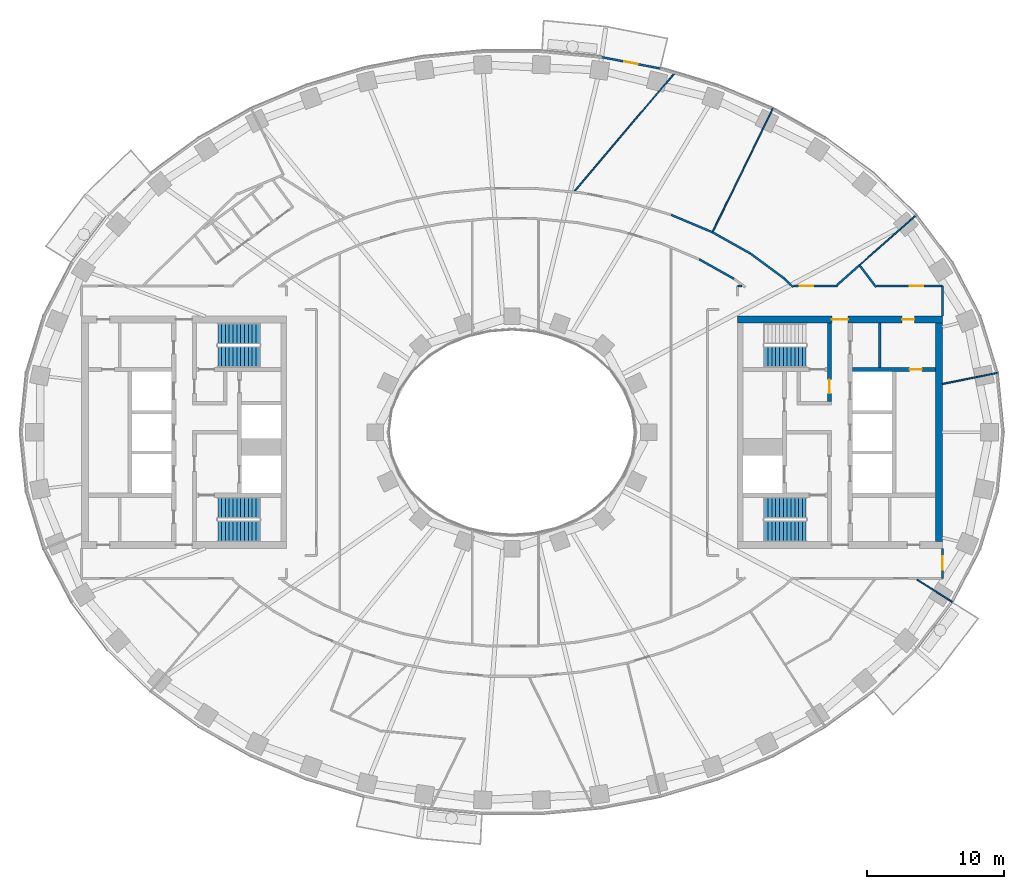
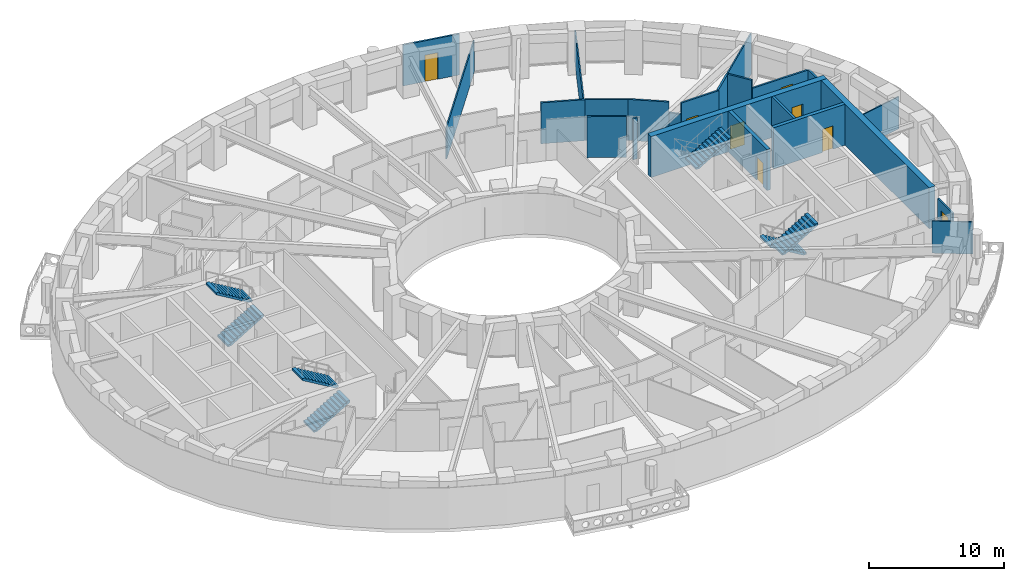
# One storey, part 7 of 17: 23 walls, 8 doors, 7 stair flights, 8 openings, 4 elements without a shape of their own.
"""IFC4 building model written with IfcOpenShell, lengths in metres."""

from ifc_helpers import new_model, si_unit, direction, frame, frame_2d, origin, place, context, subcontext, project, spatial, polyline, rectangle, outline, extrude, material, layer, layer_set, type_object, element, fill, aggregate, save


model = new_model("IFC4")

# Units and contexts
model_context = context("Model", 3, precision=1e-05, world=origin(), true_north=direction((0.0, 1.0)))
body_context = subcontext(model_context, "Body", "Model", "MODEL_VIEW")
ifc_project = project(units=[si_unit("LENGTHUNIT", "METRE"), si_unit("AREAUNIT", "SQUARE_METRE"), si_unit("VOLUMEUNIT", "CUBIC_METRE"), si_unit("PLANEANGLEUNIT", "RADIAN"), si_unit("MASSUNIT", "GRAM", prefix="KILO")], contexts=[model_context])

# Site, building, storey
site_placement = place(None, origin())
site = spatial("IfcSite", under=ifc_project, at=site_placement, CompositionType="ELEMENT")
building_placement = place(site_placement, origin())
building = spatial("IfcBuilding", under=site, at=building_placement, Name="Noorbagh Ring Tower", CompositionType="ELEMENT")
storey_placement = place(building_placement, frame((0.0, 0.0, 112.0)))
storey = spatial("IfcBuildingStorey", under=building, at=storey_placement, Name="L25", CompositionType="ELEMENT", Elevation=112.0)

# Wall
ifc_material_1 = material(Name="Gypsum board on steel studs", Category="steel")
ifc_layer_1 = layer(ifc_material_1, 0.199951171875)
ifc_layer_set_1 = layer_set([ifc_layer_1], Name="Gypsum board on steel studs")
wall_type_1 = type_object("IfcWallType", Name="CORE-PARTITION-200", PredefinedType="PARTITIONING", material=ifc_layer_set_1)
wall_1_placement = place(storey_placement, frame((26.89990234375, 4.75, 0.0), z_axis=(0.0, 0.0, 1.0), x_axis=(0.0, 1.0, 0.0)))
element("IfcWall", 1, at=wall_1_placement, inside=storey, type_object=wall_type_1, Name="Core partition E", PredefinedType="PARTITIONING", context=body_context, shape_type="SweptSolid", body=[
    extrude(rectangle(XDim=3.25, YDim=0.199951171875, at=frame_2d((1.625, 0.0))), origin(), (0.0, 0.0, 1.0), 3.699951171875),
])

# Wall, opening, door
ifc_material_2 = material(Name="Concrete C70/85", Category="concrete")
ifc_layer_2 = layer(ifc_material_2, 0.300048828125)
ifc_layer_set_2 = layer_set([ifc_layer_2], Name="Concrete C70/85")
wall_type_2 = type_object("IfcWallType", Name="CORE-WALL-300-C70-85-EI240", PredefinedType="SHEAR", material=ifc_layer_set_2)
wall_2_placement = place(storey_placement, frame((24.89990234375, 4.60009765625, 0.0), z_axis=(0.0, 0.0, 1.0), x_axis=(1.0, 0.0, 0.0)))
wall_2 = element("IfcWall", 2, at=wall_2_placement, inside=storey, type_object=wall_type_2, Name="Core wall E", PredefinedType="SHEAR", context=body_context, shape_type="SweptSolid", body=[
    extrude(rectangle(XDim=6.10009765625, YDim=0.300048828125, at=frame_2d((3.050048828125, 0.0))), origin(), (0.0, 0.0, 1.0), 3.699951171875),
])
opening_1_placement = place(wall_2_placement, frame((4.199951171875, 0.0, 0.0)))
opening_1 = element("IfcOpeningElement", 3, at=opening_1_placement, cuts=wall_2, Name="Opening L25-CE16", PredefinedType="OPENING", context=body_context, shape_type="SweptSolid", body=[
    extrude(rectangle(XDim=0.89990234375, YDim=2.10009765625, at=frame_2d((0.449951171875, 1.050048828125))), frame((0.0, 0.16015625, 0.0), z_axis=(0.0, -1.0, 0.0), x_axis=(1.0, 0.0, 0.0)), (0.0, 0.0, 1.0), 0.320068359375),
])
ifc_material_3 = material(Name="Steel door leaf", Category="steel")
door_type_1 = type_object("IfcDoorType", Name="CORE-DOOR-DROOM", OperationType="SINGLE_SWING_LEFT", PredefinedType="DOOR", material=ifc_material_3)
door_1_placement = place(opening_1_placement, origin())
door_1 = element("IfcDoor", 4, at=door_1_placement, inside=storey, type_object=door_type_1, Name="Core room door L25-CE16", OperationType="SINGLE_SWING_RIGHT", OverallHeight=2.10009765625, OverallWidth=0.89990234375, PredefinedType="DOOR", context=body_context, shape_type="SweptSolid", body=[
    extrude(rectangle(XDim=0.89990234375, YDim=2.10009765625, at=frame_2d((0.449951171875, 1.050048828125))), frame((0.0, 0.02490234375, 0.0), z_axis=(0.0, -1.0, 0.0), x_axis=(1.0, 0.0, 0.0)), (0.0, 0.0, 1.0), 0.050048828125),
])
fill(opening_1, door_1)

wall_3_placement = place(storey_placement, frame((23.22998046875, 2.25, 0.0), z_axis=(0.0, 0.0, 1.0), x_axis=(0.0, 1.0, 0.0)))
wall_3 = element("IfcWall", 5, at=wall_3_placement, inside=storey, type_object=wall_type_2, Name="Core wall E", PredefinedType="SHEAR", context=body_context, shape_type="SweptSolid", body=[
    extrude(rectangle(XDim=5.75, YDim=0.300048828125, at=frame_2d((2.875, 0.0))), origin(), (0.0, 0.0, 1.0), 3.699951171875),
])
opening_2_placement = place(wall_3_placement, frame((0.60009765625, 0.0, 0.0)))
opening_2 = element("IfcOpeningElement", 6, at=opening_2_placement, cuts=wall_3, Name="Opening L25-CE08", PredefinedType="OPENING", context=body_context, shape_type="SweptSolid", body=[
    extrude(rectangle(XDim=1.0, YDim=2.10009765625, at=frame_2d((0.5, 1.050048828125))), frame((0.0, 0.16015625, 0.0), z_axis=(0.0, -1.0, 0.0), x_axis=(1.0, 0.0, 0.0)), (0.0, 0.0, 1.0), 0.320068359375),
])
ifc_material_4 = material(Name="Steel door leaf", Category="steel")
door_type_2 = type_object("IfcDoorType", Name="CORE-DOOR-DVEST", OperationType="SINGLE_SWING_LEFT", PredefinedType="DOOR", material=ifc_material_4)
door_2_placement = place(opening_2_placement, origin())
door_2 = element("IfcDoor", 7, at=door_2_placement, inside=storey, type_object=door_type_2, Name="Stair vestibule door L25-CE08", OperationType="SINGLE_SWING_RIGHT", OverallHeight=2.10009765625, OverallWidth=1.0, PredefinedType="DOOR", context=body_context, shape_type="SweptSolid", body=[
    extrude(rectangle(XDim=1.0, YDim=2.10009765625, at=frame_2d((0.5, 1.050048828125))), frame((0.0, 0.02490234375, 0.0), z_axis=(0.0, -1.0, 0.0), x_axis=(1.0, 0.0, 0.0)), (0.0, 0.0, 1.0), 0.050048828125),
])
fill(opening_2, door_2)

# Wall, openings, doors
ifc_material_5 = material(Name="Concrete C70/85", Category="concrete")
ifc_layer_3 = layer(ifc_material_5, 0.5)
ifc_layer_set_3 = layer_set([ifc_layer_3], Name="Concrete C70/85")
wall_type_3 = type_object("IfcWallType", Name="CORE-WALL-500-C70-85-EI240", PredefinedType="SHEAR", material=ifc_layer_set_3)
wall_4_placement = place(storey_placement, frame((16.5, 8.25, 0.0), z_axis=(0.0, 0.0, 1.0), x_axis=(1.0, 0.0, 0.0)))
wall_4 = element("IfcWall", 8, at=wall_4_placement, inside=storey, type_object=wall_type_3, Name="Core wall E", PredefinedType="SHEAR", context=body_context, shape_type="SweptSolid", body=[
    extrude(rectangle(XDim=15.0, YDim=0.5, at=frame_2d((7.5, 0.0))), origin(), (0.0, 0.0, 1.0), 3.699951171875),
])
opening_3_placement = place(wall_4_placement, frame((6.89990234375, 0.0, 0.0)))
opening_3 = element("IfcOpeningElement", 9, at=opening_3_placement, cuts=wall_4, Name="Opening L25-CE09", PredefinedType="OPENING", context=body_context, shape_type="SweptSolid", body=[
    extrude(rectangle(XDim=1.199951171875, YDim=2.10009765625, at=frame_2d((0.60009765625, 1.050048828125))), frame((0.0, 0.260009765625, 0.0), z_axis=(0.0, -1.0, 0.0), x_axis=(1.0, 0.0, 0.0)), (0.0, 0.0, 1.0), 0.52001953125),
])
opening_4_placement = place(wall_4_placement, frame((12.050048828125, 0.0, 0.0)))
opening_4 = element("IfcOpeningElement", 10, at=opening_4_placement, cuts=wall_4, Name="Opening L25-CE13", PredefinedType="OPENING", context=body_context, shape_type="SweptSolid", body=[
    extrude(rectangle(XDim=0.89990234375, YDim=2.10009765625, at=frame_2d((0.449951171875, 1.050048828125))), frame((0.0, 0.260009765625, 0.0), z_axis=(0.0, -1.0, 0.0), x_axis=(1.0, 0.0, 0.0)), (0.0, 0.0, 1.0), 0.52001953125),
])
door_3_placement = place(opening_4_placement, origin())
door_3 = element("IfcDoor", 11, at=door_3_placement, inside=storey, type_object=door_type_1, Name="Core room door L25-CE13", OperationType="SINGLE_SWING_LEFT", OverallHeight=2.10009765625, OverallWidth=0.89990234375, PredefinedType="DOOR", context=body_context, shape_type="SweptSolid", body=[
    extrude(rectangle(XDim=0.89990234375, YDim=2.10009765625, at=frame_2d((0.449951171875, 1.050048828125))), frame((0.0, 0.02490234375, 0.0), z_axis=(0.0, -1.0, 0.0), x_axis=(1.0, 0.0, 0.0)), (0.0, 0.0, 1.0), 0.050048828125),
])
fill(opening_4, door_3)
ifc_material_6 = material(Name="Steel door leaf", Category="steel")
door_type_3 = type_object("IfcDoorType", Name="CORE-DOOR-PORT", OperationType="DOUBLE_DOOR_DOUBLE_SWING", PredefinedType="DOOR", material=ifc_material_6)
door_4_placement = place(opening_3_placement, origin())
door_4 = element("IfcDoor", 12, at=door_4_placement, inside=storey, type_object=door_type_3, Name="Core entrance door L25-CE09", OperationType="DOUBLE_DOOR_DOUBLE_SWING", OverallHeight=2.10009765625, OverallWidth=1.199951171875, PredefinedType="DOOR", context=body_context, shape_type="SweptSolid", body=[
    extrude(rectangle(XDim=1.199951171875, YDim=2.10009765625, at=frame_2d((0.60009765625, 1.050048828125))), frame((0.0, 0.02490234375, 0.0), z_axis=(0.0, -1.0, 0.0), x_axis=(1.0, 0.0, 0.0)), (0.0, 0.0, 1.0), 0.050048828125),
])
fill(opening_3, door_4)

# Walls
wall_5_placement = place(storey_placement, frame((31.25, -8.0, 0.0), z_axis=(0.0, 0.0, 1.0), x_axis=(0.0, 1.0, 0.0)))
element("IfcWall", 13, at=wall_5_placement, inside=storey, type_object=wall_type_3, Name="Core wall E", PredefinedType="SHEAR", context=body_context, shape_type="SweptSolid", body=[
    extrude(rectangle(XDim=16.0, YDim=0.5, at=frame_2d((8.0, 0.0))), origin(), (0.0, 0.0, 1.0), 3.699951171875),
])
ifc_material_7 = material(Name="Gypsum board on steel studs", Category="steel")
ifc_layer_4 = layer(ifc_material_7, 0.14990234375)
ifc_layer_set_4 = layer_set([ifc_layer_4], Name="Gypsum board on steel studs")
wall_type_4 = type_object("IfcWallType", Name="CORRIDOR PARTITION 150 EI 30", PredefinedType="PARTITIONING", material=ifc_layer_set_4)
wall_6_placement = place(storey_placement, frame((11.64306640625, 15.9130859375, 0.0), z_axis=(0.0, 0.0, 1.0), x_axis=(0.921789499058, -0.38769075231, 0.0)))
element("IfcWall", 14, at=wall_6_placement, inside=storey, type_object=wall_type_4, Name="L25/wall/P86", PredefinedType="PARTITIONING", context=body_context, shape_type="SweptSolid", body=[
    extrude(rectangle(XDim=3.2783203125, YDim=0.14990234375, at=frame_2d((1.63916015625, 0.0))), origin(), (0.0, 0.0, 1.0), 3.699951171875),
])
wall_7_placement = place(storey_placement, frame((13.697021484375, 12.662109375, 0.0), z_axis=(0.0, 0.0, 1.0), x_axis=(0.872147381065, -0.489243237767, 0.0)))
element("IfcWall", 15, at=wall_7_placement, inside=storey, type_object=wall_type_4, Name="L25/wall/P88", PredefinedType="PARTITIONING", context=body_context, shape_type="SweptSolid", body=[
    extrude(rectangle(XDim=2.92724609375, YDim=0.14990234375, at=frame_2d((1.463623046875, 0.0))), origin(), (0.0, 0.0, 1.0), 3.699951171875),
])
wall_8_placement = place(storey_placement, frame((14.681884765625, 14.632080078125, 0.0), z_axis=(0.0, 0.0, 1.0), x_axis=(0.872147050911, -0.489243826315, 0.0)))
element("IfcWall", 16, at=wall_8_placement, inside=storey, type_object=wall_type_4, Name="L25/wall/P94", PredefinedType="PARTITIONING", context=body_context, shape_type="SweptSolid", body=[
    extrude(rectangle(XDim=3.168212890625, YDim=0.14990234375, at=frame_2d((1.583984375, 0.0))), origin(), (0.0, 0.0, 1.0), 3.699951171875),
])
wall_9_placement = place(storey_placement, frame((16.5, 10.699951171875, 0.0), z_axis=(0.0, 0.0, 1.0), x_axis=(1.0, 0.0, 0.0)))
element("IfcWall", 17, at=wall_9_placement, inside=storey, type_object=wall_type_4, Name="L25/wall/P100", PredefinedType="PARTITIONING", context=body_context, shape_type="SweptSolid", body=[
    extrude(rectangle(XDim=0.343017578125, YDim=0.14990234375, at=frame_2d((0.17138671875, 0.0))), origin(), (0.0, 0.0, 1.0), 3.699951171875),
])
wall_10_placement = place(storey_placement, frame((17.445068359375, 13.08203125, 0.0), z_axis=(0.0, 0.0, 1.0), x_axis=(0.805185638843, -0.593022838516, 0.0)))
element("IfcWall", 18, at=wall_10_placement, inside=storey, type_object=wall_type_4, Name="L25/wall/P101", PredefinedType="PARTITIONING", context=body_context, shape_type="SweptSolid", body=[
    extrude(rectangle(XDim=3.072509765625, YDim=0.14990234375, at=frame_2d((1.5361328125, 0.0))), origin(), (0.0, 0.0, 1.0), 3.699951171875),
])
wall_11_placement = place(storey_placement, frame((19.9189453125, 11.260009765625, 0.0), z_axis=(0.0, 0.0, 1.0), x_axis=(0.716953986293, -0.697120492841, 0.0)))
element("IfcWall", 19, at=wall_11_placement, inside=storey, type_object=wall_type_4, Name="L25/wall/P105", PredefinedType="PARTITIONING", context=body_context, shape_type="SweptSolid", body=[
    extrude(rectangle(XDim=0.910888671875, YDim=0.14990234375, at=frame_2d((0.45556640625, 0.0))), origin(), (0.0, 0.0, 1.0), 2.75),
])

# Wall, opening, door
wall_12_placement = place(storey_placement, frame((20.60302734375, 10.699951171875, 0.0), z_axis=(0.0, 0.0, 1.0), x_axis=(1.0, 0.0, 0.0)))
wall_12 = element("IfcWall", 20, at=wall_12_placement, inside=storey, type_object=wall_type_4, Name="L25/wall/P108", PredefinedType="PARTITIONING", context=body_context, shape_type="SweptSolid", body=[
    extrude(rectangle(XDim=3.20703125, YDim=0.14990234375, at=frame_2d((1.603515625, 0.0))), origin(), (0.0, 0.0, 1.0), 3.699951171875),
])
opening_5_placement = place(wall_12_placement, frame((0.444091796875, 0.0, 0.0)))
opening_5 = element("IfcOpeningElement", 21, at=opening_5_placement, cuts=wall_12, Name="Opening D1", PredefinedType="OPENING", context=body_context, shape_type="SweptSolid", body=[
    extrude(rectangle(XDim=1.0, YDim=2.10009765625, at=frame_2d((0.5, 1.050048828125))), frame((0.0, 0.0849609375, 0.0), z_axis=(0.0, -1.0, 0.0), x_axis=(1.0, 0.0, 0.0)), (0.0, 0.0, 1.0), 0.169921875),
])
ifc_material_8 = material(Name="Timber, painted", Category="wood")
door_type_4 = type_object("IfcDoorType", Name="DOOR 1000 X 2100 FD30", OperationType="SINGLE_SWING_LEFT", PredefinedType="DOOR", material=ifc_material_8)
door_5_placement = place(opening_5_placement, origin())
door_5 = element("IfcDoor", 22, at=door_5_placement, inside=storey, type_object=door_type_4, Name="L25-D16", OperationType="SINGLE_SWING_RIGHT", OverallHeight=2.10009765625, OverallWidth=1.0, PredefinedType="DOOR", context=body_context, shape_type="SweptSolid", body=[
    extrude(rectangle(XDim=1.0, YDim=2.10009765625, at=frame_2d((0.5, 1.050048828125))), frame((0.0, 0.02490234375, 0.0), z_axis=(0.0, -1.0, 0.0), x_axis=(1.0, 0.0, 0.0)), (0.0, 0.0, 1.0), 0.050048828125),
])
fill(opening_5, door_5)

# Walls
wall_13_placement = place(storey_placement, frame((23.784912109375, 10.778076171875, 0.0), z_axis=(0.0, 0.0, 1.0), x_axis=(0.748911595987, 0.662669918886, 0.0)))
element("IfcWall", 23, at=wall_13_placement, inside=storey, type_object=wall_type_4, Name="L25/wall/P110", PredefinedType="PARTITIONING", context=body_context, shape_type="SweptSolid", body=[
    extrude(rectangle(XDim=2.19384765625, YDim=0.14990234375, at=frame_2d((1.096923828125, 0.0))), origin(), (0.0, 0.0, 1.0), 3.699951171875),
])
wall_14_placement = place(storey_placement, frame((25.427978515625, 12.23193359375, 0.0), z_axis=(0.0, 0.0, 1.0), x_axis=(0.601513631979, -0.798862535449, 0.0)))
element("IfcWall", 24, at=wall_14_placement, inside=storey, type_object=wall_type_4, Name="L25/wall/P111", PredefinedType="PARTITIONING", context=body_context, shape_type="SweptSolid", body=[
    extrude(rectangle(XDim=2.011474609375, YDim=0.14990234375, at=frame_2d((1.005859375, 0.0))), origin(), (0.0, 0.0, 1.0), 3.699951171875),
])

# Wall, opening, door
wall_15_placement = place(storey_placement, frame((26.676025390625, 10.699951171875, 0.0), z_axis=(0.0, 0.0, 1.0), x_axis=(1.0, 0.0, 0.0)))
wall_15 = element("IfcWall", 25, at=wall_15_placement, inside=storey, type_object=wall_type_4, Name="L25/wall/P113", PredefinedType="PARTITIONING", context=body_context, shape_type="SweptSolid", body=[
    extrude(rectangle(XDim=4.823974609375, YDim=0.14990234375, at=frame_2d((2.412109375, 0.0))), origin(), (0.0, 0.0, 1.0), 2.89990234375),
])
opening_6_placement = place(wall_15_placement, frame((2.424072265625, 0.0, 0.0)))
opening_6 = element("IfcOpeningElement", 26, at=opening_6_placement, cuts=wall_15, Name="Opening D1", PredefinedType="OPENING", context=body_context, shape_type="SweptSolid", body=[
    extrude(rectangle(XDim=1.0, YDim=2.10009765625, at=frame_2d((0.5, 1.050048828125))), frame((0.0, 0.0849609375, 0.0), z_axis=(0.0, -1.0, 0.0), x_axis=(1.0, 0.0, 0.0)), (0.0, 0.0, 1.0), 0.169921875),
])
door_6_placement = place(opening_6_placement, origin())
door_6 = element("IfcDoor", 27, at=door_6_placement, inside=storey, type_object=door_type_4, Name="L25-D19", OperationType="SINGLE_SWING_LEFT", OverallHeight=2.10009765625, OverallWidth=1.0, PredefinedType="DOOR", context=body_context, shape_type="SweptSolid", body=[
    extrude(rectangle(XDim=1.0, YDim=2.10009765625, at=frame_2d((0.5, 1.050048828125))), frame((0.0, 0.02490234375, 0.0), z_axis=(0.0, -1.0, 0.0), x_axis=(1.0, 0.0, 0.0)), (0.0, 0.0, 1.0), 0.050048828125),
])
fill(opening_6, door_6)

wall_16_placement = place(storey_placement, frame((31.5, -10.699951171875, 0.0), z_axis=(0.0, 0.0, 1.0), x_axis=(0.0, 1.0, 0.0)))
wall_16 = element("IfcWall", 28, at=wall_16_placement, inside=storey, type_object=wall_type_4, Name="L25/wall/P115", PredefinedType="PARTITIONING", context=body_context, shape_type="SweptSolid", body=[
    extrude(rectangle(XDim=2.199951171875, YDim=0.14990234375, at=frame_2d((1.10009765625, 0.0))), origin(), (0.0, 0.0, 1.0), 2.89990234375),
])
opening_7_placement = place(wall_16_placement, frame((0.64990234375, 0.0, 0.0)))
opening_7 = element("IfcOpeningElement", 29, at=opening_7_placement, cuts=wall_16, Name="Opening D1", PredefinedType="OPENING", context=body_context, shape_type="SweptSolid", body=[
    extrude(rectangle(XDim=1.0, YDim=2.10009765625, at=frame_2d((0.5, 1.050048828125))), frame((0.0, 0.0849609375, 0.0), z_axis=(0.0, -1.0, 0.0), x_axis=(1.0, 0.0, 0.0)), (0.0, 0.0, 1.0), 0.169921875),
])
door_7_placement = place(opening_7_placement, origin())
door_7 = element("IfcDoor", 30, at=door_7_placement, inside=storey, type_object=door_type_4, Name="L25-D20", OperationType="SINGLE_SWING_RIGHT", OverallHeight=2.10009765625, OverallWidth=1.0, PredefinedType="DOOR", context=body_context, shape_type="SweptSolid", body=[
    extrude(rectangle(XDim=1.0, YDim=2.10009765625, at=frame_2d((0.5, 1.050048828125))), frame((0.0, 0.02490234375, 0.0), z_axis=(0.0, -1.0, 0.0), x_axis=(1.0, 0.0, 0.0)), (0.0, 0.0, 1.0), 0.050048828125),
])
fill(opening_7, door_7)

# Wall
wall_17_placement = place(storey_placement, frame((31.5, 8.5, 0.0), z_axis=(0.0, 0.0, 1.0), x_axis=(0.0, 1.0, 0.0)))
element("IfcWall", 31, at=wall_17_placement, inside=storey, type_object=wall_type_4, Name="L25/wall/P117", PredefinedType="PARTITIONING", context=body_context, shape_type="SweptSolid", body=[
    extrude(rectangle(XDim=2.199951171875, YDim=0.14990234375, at=frame_2d((1.10009765625, 0.0))), origin(), (0.0, 0.0, 1.0), 2.89990234375),
])

# Wall, opening, door
ifc_material_9 = material(Name="Insulated aluminium clad panel", Category="aluminium")
ifc_layer_5 = layer(ifc_material_9, 0.14990234375)
ifc_layer_set_5 = layer_set([ifc_layer_5], Name="Insulated aluminium clad panel")
wall_type_5 = type_object("IfcWallType", Name="ENV-WALL-DOOR", PredefinedType="STANDARD", material=ifc_layer_set_5)
wall_18_placement = place(storey_placement, frame((10.87060546875, 26.616943359375, 0.0), z_axis=(0.0, 0.0, 1.0), x_axis=(-0.981631174778, 0.190788460615, 0.0)))
wall_18 = element("IfcWall", 32, at=wall_18_placement, inside=storey, type_object=wall_type_5, Name="Balcony door wall chord 10", PredefinedType="STANDARD", context=body_context, shape_type="SweptSolid", body=[
    extrude(rectangle(XDim=4.42626953125, YDim=0.14990234375, at=frame_2d((2.213134765625, 0.0))), origin(), (0.0, 0.0, 1.0), 3.699951171875),
])
opening_8_placement = place(wall_18_placement, frame((1.713134765625, 0.0, 0.0)))
opening_8 = element("IfcOpeningElement", 33, at=opening_8_placement, cuts=wall_18, Name="Opening D-BL", PredefinedType="OPENING", context=body_context, shape_type="SweptSolid", body=[
    extrude(rectangle(XDim=1.0, YDim=2.39990234375, at=frame_2d((0.5, 1.199951171875))), frame((0.0, 0.0849609375, 0.0), z_axis=(0.0, -1.0, 0.0), x_axis=(1.0, 0.0, 0.0)), (0.0, 0.0, 1.0), 0.169921875),
])
ifc_material_10 = material(Name="Aluminium and glass", Category="aluminium")
door_type_5 = type_object("IfcDoorType", Name="ENV-DOOR-BALCONY", OperationType="SINGLE_SWING_LEFT", PredefinedType="DOOR", material=ifc_material_10)
door_8_placement = place(opening_8_placement, origin())
door_8 = element("IfcDoor", 34, at=door_8_placement, inside=storey, type_object=door_type_5, Name="Balcony door chord 10", OperationType="SINGLE_SWING_RIGHT", OverallHeight=2.39990234375, OverallWidth=1.0, PredefinedType="DOOR", context=body_context, shape_type="SweptSolid", body=[
    extrude(rectangle(XDim=1.0, YDim=2.39990234375, at=frame_2d((0.5, 1.199951171875))), frame((0.0, 0.02490234375, 0.0), z_axis=(0.0, -1.0, 0.0), x_axis=(1.0, 0.0, 0.0)), (0.0, 0.0, 1.0), 0.050048828125),
])
fill(opening_8, door_8)

# Walls
ifc_material_11 = material(Name="Gypsum board on steel studs", Category="steel")
ifc_layer_6 = layer(ifc_material_11, 0.10009765625)
ifc_layer_set_6 = layer_set([ifc_layer_6], Name="Gypsum board on steel studs")
wall_type_6 = type_object("IfcWallType", Name="PARTITION 100 GYPSUM", PredefinedType="PARTITIONING", material=ifc_layer_set_6)
wall_19_placement = place(storey_placement, frame((4.575927734375, 17.65087890625, 0.0), z_axis=(0.0, 0.0, 1.0), x_axis=(0.646514915662, 0.762901346064, 0.0)))
element("IfcWall", 35, at=wall_19_placement, inside=storey, type_object=wall_type_6, Name="L25/wall/P72", PredefinedType="PARTITIONING", context=body_context, shape_type="SweptSolid", body=[
    extrude(rectangle(XDim=11.3671875, YDim=0.10009765625, at=frame_2d((5.68359375, 0.0))), origin(), (0.0, 0.0, 1.0), 2.89990234375),
])
wall_20_placement = place(storey_placement, frame((14.6669921875, 14.64599609375, 0.0), z_axis=(0.0, 0.0, 1.0), x_axis=(0.439197946233, 0.898390318305, 0.0)))
element("IfcWall", 36, at=wall_20_placement, inside=storey, type_object=wall_type_6, Name="L25/wall/P93", PredefinedType="PARTITIONING", context=body_context, shape_type="SweptSolid", body=[
    extrude(rectangle(XDim=10.061279296875, YDim=0.10009765625, at=frame_2d((5.03076171875, 0.0))), origin(), (0.0, 0.0, 1.0), 2.89990234375),
])
wall_21_placement = place(storey_placement, frame((25.427978515625, 12.23193359375, 0.0), z_axis=(0.0, 0.0, 1.0), x_axis=(0.749015105068, 0.662552920437, 0.0)))
element("IfcWall", 37, at=wall_21_placement, inside=storey, type_object=wall_type_6, Name="L25/wall/P112", PredefinedType="PARTITIONING", context=body_context, shape_type="SweptSolid", body=[
    extrude(rectangle(XDim=5.52880859375, YDim=0.10009765625, at=frame_2d((2.764404296875, 0.0))), origin(), (0.0, 0.0, 1.0), 3.699951171875),
])
wall_22_placement = place(storey_placement, frame((29.636962890625, -10.777099609375, 0.0), z_axis=(0.0, 0.0, 1.0), x_axis=(0.844810627195, -0.535065420467, 0.0)))
element("IfcWall", 38, at=wall_22_placement, inside=storey, type_object=wall_type_6, Name="L25/wall/P114", PredefinedType="PARTITIONING", context=body_context, shape_type="SweptSolid", body=[
    extrude(rectangle(XDim=3.0478515625, YDim=0.10009765625, at=frame_2d((1.52392578125, 0.0))), origin(), (0.0, 0.0, 1.0), 2.89990234375),
])
wall_23_placement = place(storey_placement, frame((31.5, 3.5419921875, 0.0), z_axis=(0.0, 0.0, 1.0), x_axis=(0.980357474535, 0.197228857227, 0.0)))
element("IfcWall", 39, at=wall_23_placement, inside=storey, type_object=wall_type_6, Name="L25/wall/P116", PredefinedType="PARTITIONING", context=body_context, shape_type="SweptSolid", body=[
    extrude(rectangle(XDim=4.09228515625, YDim=0.10009765625, at=frame_2d((2.046142578125, 0.0))), origin(), (0.0, 0.0, 1.0), 2.89990234375),
])

# Stair, stair flights
ifc_material_12 = material(Name="Concrete C40/50", Category="concrete")
stair_type = type_object("IfcStairType", Name="CORE-STAIR", PredefinedType="HALF_TURN_STAIR", material=ifc_material_12)
stair_1_placement = place(storey_placement, origin())
stair_1 = element("IfcStair", 40, at=stair_1_placement, inside=storey, type_object=stair_type, Name="L25 Exit stair ST1", PredefinedType="HALF_TURN_STAIR")
ifc_material_13 = material(Name="Concrete C40/50", Category="concrete")
stair_flight_type = type_object("IfcStairFlightType", Name="CORE-STAIR-FLIGHT", PredefinedType="STRAIGHT", material=ifc_material_13)
stair_flight_1_placement = place(storey_placement, frame((-21.530029296875, 5.52490234375, 0.0), z_axis=(0.0, 0.0, 1.0), x_axis=(1.0, 0.0, 0.0)))
stair_flight_1 = element("IfcStairFlight", 41, at=stair_flight_1_placement, type_object=stair_flight_type, Name="ST1 flight 1", NumberOfRisers=12, NumberOfTreads=11, PredefinedType="STRAIGHT", RiserHeight=0.166666667, TreadLength=0.28, context=body_context, shape_type="SweptSolid", body=[
    extrude(outline(polyline([(0.0, 0.0), (0.0, 0.166748046875), (0.280029296875, 0.166748046875), (0.280029296875, 0.333251953125), (0.56005859375, 0.333251953125), (0.56005859375, 0.5), (0.840087890625, 0.5), (0.840087890625, 0.666748046875), (1.1201171875, 0.666748046875), (1.1201171875, 0.833251953125), (1.39990234375, 0.833251953125), (1.39990234375, 1.0), (1.679931640625, 1.0), (1.679931640625, 1.166748046875), (1.9599609375, 1.166748046875), (1.9599609375, 1.333251953125), (2.239990234375, 1.333251953125), (2.239990234375, 1.5), (2.52001953125, 1.5), (2.52001953125, 1.666748046875), (2.800048828125, 1.666748046875), (2.800048828125, 1.833251953125), (3.080078125, 1.833251953125), (3.080078125, 2.0), (3.080078125, 1.658935546875), (0.29296875, 0.0), (0.0, 0.0)])), frame((0.0, 0.77490234375, 0.0), z_axis=(0.0, -1.0, 0.0), x_axis=(1.0, 0.0, 0.0)), (0.0, 0.0, 1.0), 1.550048828125),
])
stair_flight_2_placement = place(storey_placement, frame((-18.449951171875, 7.22509765625, 2.0), z_axis=(0.0, 0.0, 1.0), x_axis=(-1.0, 0.0, 0.0)))
stair_flight_2 = element("IfcStairFlight", 42, at=stair_flight_2_placement, type_object=stair_flight_type, Name="ST1 flight 2", NumberOfRisers=12, NumberOfTreads=11, PredefinedType="STRAIGHT", RiserHeight=0.166666667, TreadLength=0.28, context=body_context, shape_type="SweptSolid", body=[
    extrude(outline(polyline([(0.0, 0.0), (0.0, 0.166748046875), (0.280029296875, 0.166748046875), (0.280029296875, 0.333251953125), (0.56005859375, 0.333251953125), (0.56005859375, 0.5), (0.840087890625, 0.5), (0.840087890625, 0.666748046875), (1.1201171875, 0.666748046875), (1.1201171875, 0.833251953125), (1.39990234375, 0.833251953125), (1.39990234375, 1.0), (1.679931640625, 1.0), (1.679931640625, 1.166748046875), (1.9599609375, 1.166748046875), (1.9599609375, 1.333251953125), (2.239990234375, 1.333251953125), (2.239990234375, 1.5), (2.52001953125, 1.5), (2.52001953125, 1.666748046875), (2.800048828125, 1.666748046875), (2.800048828125, 1.833251953125), (3.080078125, 1.833251953125), (3.080078125, 2.0), (3.080078125, 1.658935546875), (0.29296875, 0.0), (0.0, 0.0)])), frame((0.0, 0.77490234375, 0.0), z_axis=(0.0, -1.0, 0.0), x_axis=(1.0, 0.0, 0.0)), (0.0, 0.0, 1.0), 1.550048828125),
])
aggregate(stair_1, [stair_flight_1, stair_flight_2])

stair_2_placement = place(storey_placement, origin())
stair_2 = element("IfcStair", 43, at=stair_2_placement, inside=storey, type_object=stair_type, Name="L25 Exit stair ST2", PredefinedType="HALF_TURN_STAIR")
stair_flight_3_placement = place(storey_placement, frame((-21.530029296875, -7.22509765625, 0.0), z_axis=(0.0, 0.0, 1.0), x_axis=(1.0, 0.0, 0.0)))
stair_flight_3 = element("IfcStairFlight", 44, at=stair_flight_3_placement, type_object=stair_flight_type, Name="ST2 flight 1", NumberOfRisers=12, NumberOfTreads=11, PredefinedType="STRAIGHT", RiserHeight=0.166666667, TreadLength=0.28, context=body_context, shape_type="SweptSolid", body=[
    extrude(outline(polyline([(0.0, 0.0), (0.0, 0.166748046875), (0.280029296875, 0.166748046875), (0.280029296875, 0.333251953125), (0.56005859375, 0.333251953125), (0.56005859375, 0.5), (0.840087890625, 0.5), (0.840087890625, 0.666748046875), (1.1201171875, 0.666748046875), (1.1201171875, 0.833251953125), (1.39990234375, 0.833251953125), (1.39990234375, 1.0), (1.679931640625, 1.0), (1.679931640625, 1.166748046875), (1.9599609375, 1.166748046875), (1.9599609375, 1.333251953125), (2.239990234375, 1.333251953125), (2.239990234375, 1.5), (2.52001953125, 1.5), (2.52001953125, 1.666748046875), (2.800048828125, 1.666748046875), (2.800048828125, 1.833251953125), (3.080078125, 1.833251953125), (3.080078125, 2.0), (3.080078125, 1.658935546875), (0.29296875, 0.0), (0.0, 0.0)])), frame((0.0, 0.77490234375, 0.0), z_axis=(0.0, -1.0, 0.0), x_axis=(1.0, 0.0, 0.0)), (0.0, 0.0, 1.0), 1.550048828125),
])
stair_flight_4_placement = place(storey_placement, frame((-18.449951171875, -5.52490234375, 2.0), z_axis=(0.0, 0.0, 1.0), x_axis=(-1.0, 0.0, 0.0)))
stair_flight_4 = element("IfcStairFlight", 45, at=stair_flight_4_placement, type_object=stair_flight_type, Name="ST2 flight 2", NumberOfRisers=12, NumberOfTreads=11, PredefinedType="STRAIGHT", RiserHeight=0.166666667, TreadLength=0.28, context=body_context, shape_type="SweptSolid", body=[
    extrude(outline(polyline([(0.0, 0.0), (0.0, 0.166748046875), (0.280029296875, 0.166748046875), (0.280029296875, 0.333251953125), (0.56005859375, 0.333251953125), (0.56005859375, 0.5), (0.840087890625, 0.5), (0.840087890625, 0.666748046875), (1.1201171875, 0.666748046875), (1.1201171875, 0.833251953125), (1.39990234375, 0.833251953125), (1.39990234375, 1.0), (1.679931640625, 1.0), (1.679931640625, 1.166748046875), (1.9599609375, 1.166748046875), (1.9599609375, 1.333251953125), (2.239990234375, 1.333251953125), (2.239990234375, 1.5), (2.52001953125, 1.5), (2.52001953125, 1.666748046875), (2.800048828125, 1.666748046875), (2.800048828125, 1.833251953125), (3.080078125, 1.833251953125), (3.080078125, 2.0), (3.080078125, 1.658935546875), (0.29296875, 0.0), (0.0, 0.0)])), frame((0.0, 0.77490234375, 0.0), z_axis=(0.0, -1.0, 0.0), x_axis=(1.0, 0.0, 0.0)), (0.0, 0.0, 1.0), 1.550048828125),
])
aggregate(stair_2, [stair_flight_3, stair_flight_4])

# Stair, stair flight
stair_3_placement = place(storey_placement, origin())
stair_3 = element("IfcStair", 46, at=stair_3_placement, inside=storey, type_object=stair_type, Name="L25 Exit stair ST3", PredefinedType="HALF_TURN_STAIR")
stair_flight_5_placement = place(storey_placement, frame((18.449951171875, 5.52490234375, 2.0), z_axis=(0.0, 0.0, 1.0), x_axis=(1.0, 0.0, 0.0)))
stair_flight_5 = element("IfcStairFlight", 47, at=stair_flight_5_placement, type_object=stair_flight_type, Name="ST3 flight 2", NumberOfRisers=12, NumberOfTreads=11, PredefinedType="STRAIGHT", RiserHeight=0.166666667, TreadLength=0.28, context=body_context, shape_type="SweptSolid", body=[
    extrude(outline(polyline([(0.0, 0.0), (0.0, 0.166748046875), (0.280029296875, 0.166748046875), (0.280029296875, 0.333251953125), (0.56005859375, 0.333251953125), (0.56005859375, 0.5), (0.840087890625, 0.5), (0.840087890625, 0.666748046875), (1.1201171875, 0.666748046875), (1.1201171875, 0.833251953125), (1.39990234375, 0.833251953125), (1.39990234375, 1.0), (1.679931640625, 1.0), (1.679931640625, 1.166748046875), (1.9599609375, 1.166748046875), (1.9599609375, 1.333251953125), (2.239990234375, 1.333251953125), (2.239990234375, 1.5), (2.52001953125, 1.5), (2.52001953125, 1.666748046875), (2.800048828125, 1.666748046875), (2.800048828125, 1.833251953125), (3.080078125, 1.833251953125), (3.080078125, 2.0), (3.080078125, 1.658935546875), (0.29296875, 0.0), (0.0, 0.0)])), frame((0.0, 0.77490234375, 0.0), z_axis=(0.0, -1.0, 0.0), x_axis=(1.0, 0.0, 0.0)), (0.0, 0.0, 1.0), 1.550048828125),
])
aggregate(stair_3, [stair_flight_5])

# Stair, stair flights
stair_4_placement = place(storey_placement, origin())
stair_4 = element("IfcStair", 48, at=stair_4_placement, inside=storey, type_object=stair_type, Name="L25 Exit stair ST4", PredefinedType="HALF_TURN_STAIR")
stair_flight_6_placement = place(storey_placement, frame((21.530029296875, -5.52490234375, 0.0), z_axis=(0.0, 0.0, 1.0), x_axis=(-1.0, 0.0, 0.0)))
stair_flight_6 = element("IfcStairFlight", 49, at=stair_flight_6_placement, type_object=stair_flight_type, Name="ST4 flight 1", NumberOfRisers=12, NumberOfTreads=11, PredefinedType="STRAIGHT", RiserHeight=0.166666667, TreadLength=0.28, context=body_context, shape_type="SweptSolid", body=[
    extrude(outline(polyline([(0.0, 0.0), (0.0, 0.166748046875), (0.280029296875, 0.166748046875), (0.280029296875, 0.333251953125), (0.56005859375, 0.333251953125), (0.56005859375, 0.5), (0.840087890625, 0.5), (0.840087890625, 0.666748046875), (1.1201171875, 0.666748046875), (1.1201171875, 0.833251953125), (1.39990234375, 0.833251953125), (1.39990234375, 1.0), (1.679931640625, 1.0), (1.679931640625, 1.166748046875), (1.9599609375, 1.166748046875), (1.9599609375, 1.333251953125), (2.239990234375, 1.333251953125), (2.239990234375, 1.5), (2.52001953125, 1.5), (2.52001953125, 1.666748046875), (2.800048828125, 1.666748046875), (2.800048828125, 1.833251953125), (3.080078125, 1.833251953125), (3.080078125, 2.0), (3.080078125, 1.658935546875), (0.29296875, 0.0), (0.0, 0.0)])), frame((0.0, 0.77490234375, 0.0), z_axis=(0.0, -1.0, 0.0), x_axis=(1.0, 0.0, 0.0)), (0.0, 0.0, 1.0), 1.550048828125),
])
stair_flight_7_placement = place(storey_placement, frame((18.449951171875, -7.22509765625, 2.0), z_axis=(0.0, 0.0, 1.0), x_axis=(1.0, 0.0, 0.0)))
stair_flight_7 = element("IfcStairFlight", 50, at=stair_flight_7_placement, type_object=stair_flight_type, Name="ST4 flight 2", NumberOfRisers=12, NumberOfTreads=11, PredefinedType="STRAIGHT", RiserHeight=0.166666667, TreadLength=0.28, context=body_context, shape_type="SweptSolid", body=[
    extrude(outline(polyline([(0.0, 0.0), (0.0, 0.166748046875), (0.280029296875, 0.166748046875), (0.280029296875, 0.333251953125), (0.56005859375, 0.333251953125), (0.56005859375, 0.5), (0.840087890625, 0.5), (0.840087890625, 0.666748046875), (1.1201171875, 0.666748046875), (1.1201171875, 0.833251953125), (1.39990234375, 0.833251953125), (1.39990234375, 1.0), (1.679931640625, 1.0), (1.679931640625, 1.166748046875), (1.9599609375, 1.166748046875), (1.9599609375, 1.333251953125), (2.239990234375, 1.333251953125), (2.239990234375, 1.5), (2.52001953125, 1.5), (2.52001953125, 1.666748046875), (2.800048828125, 1.666748046875), (2.800048828125, 1.833251953125), (3.080078125, 1.833251953125), (3.080078125, 2.0), (3.080078125, 1.658935546875), (0.29296875, 0.0), (0.0, 0.0)])), frame((0.0, 0.77490234375, 0.0), z_axis=(0.0, -1.0, 0.0), x_axis=(1.0, 0.0, 0.0)), (0.0, 0.0, 1.0), 1.550048828125),
])
aggregate(stair_4, [stair_flight_6, stair_flight_7])

save(model, "model.ifc")
